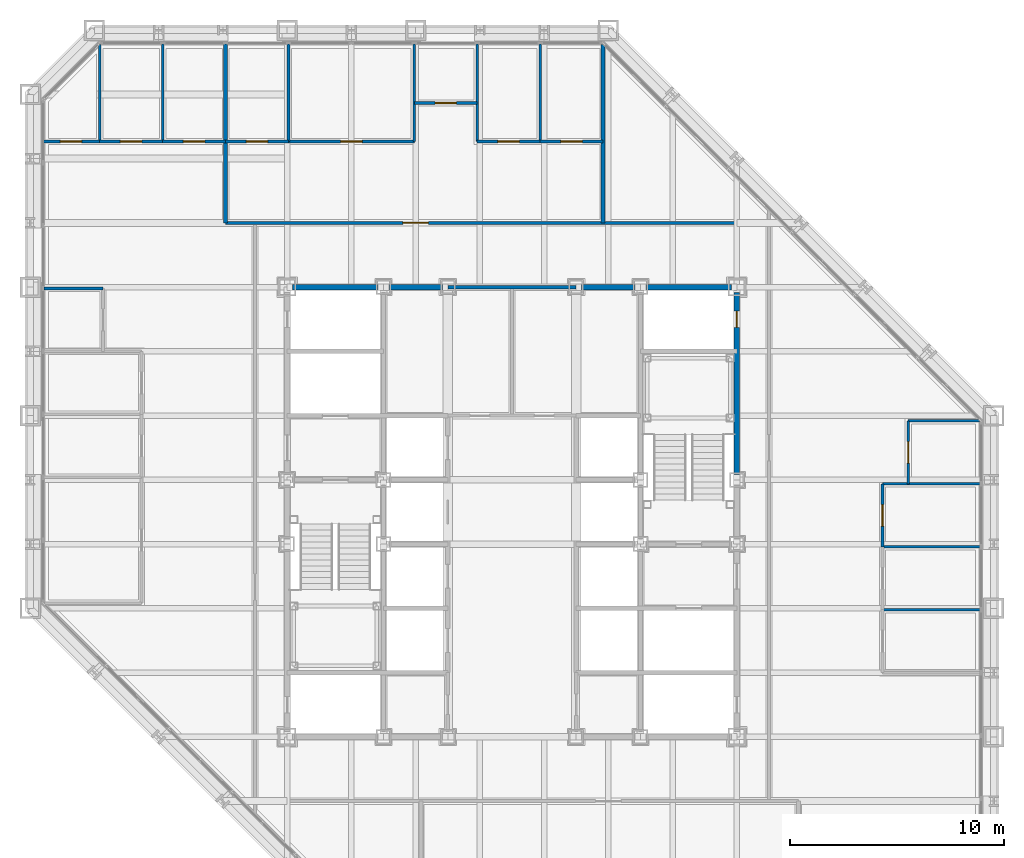
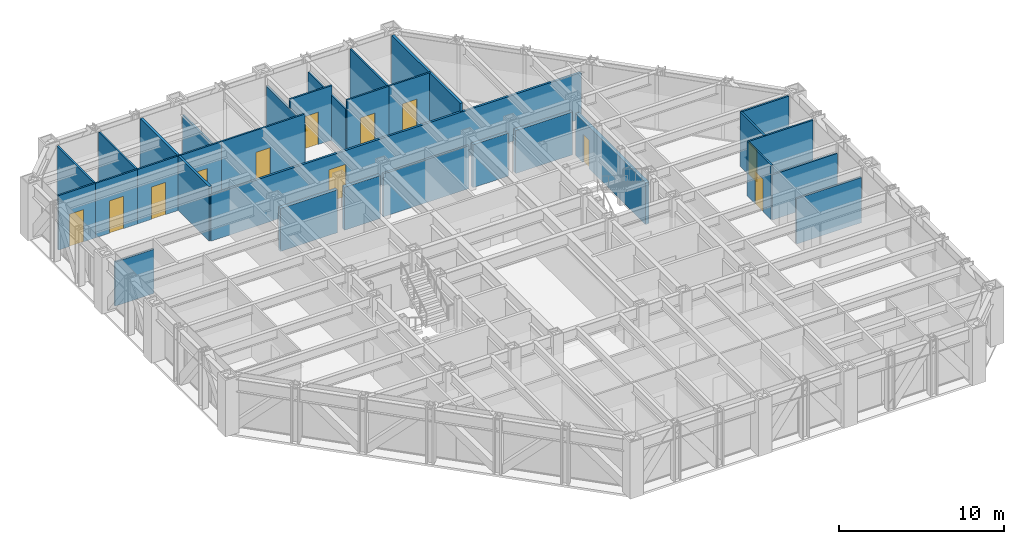
# One storey, part 12 of 16: 30 walls, 12 doors, 12 openings.
"""IFC4 building model written with IfcOpenShell, lengths in metres."""

import ifcopenshell
import ifcopenshell.guid

model = None  # the IFC model being written
_history = None  # IfcOwnerHistory: only IFC2X3 demands one
_inside = {}  # id of a spatial element -> (the spatial element, [elements in it])
_under = {}  # id of a project, library or spatial element -> (it, [spatial elements below it])
_declared = {}  # id of a project -> (the project, [libraries it declares])
_typed = {}  # id of a type object -> (the type object, [elements of that type])
_made_of = {}  # id of a material, layer set ... -> (it, [elements and type objects made of it])


def new_model(schema):
    """Start an empty IFC model of exactly this schema.

    Asked for "IFC4X3", IfcOpenShell would pick the latest addendum, in which some entities
    have other attributes; the version numbers below select the first issue.
    IFC2X3 requires an IfcOwnerHistory on every rooted entity: one is made here for all.
    """
    global model, _history
    if schema == "IFC4X3":
        model = ifcopenshell.file(schema_version=(4, 3, 0, 0))
    else:
        model = ifcopenshell.file(schema=schema)
    _inside.clear()
    _under.clear()
    _declared.clear()
    _typed.clear()
    _made_of.clear()
    _history = None
    if model.schema == "IFC2X3":
        org = make("IfcOrganization", Name="unknown")
        user = make(
            "IfcPersonAndOrganization",
            ThePerson=make("IfcPerson", FamilyName="unknown"),
            TheOrganization=org,
        )
        app = make(
            "IfcApplication",
            ApplicationDeveloper=org,
            Version="unknown",
            ApplicationFullName="unknown",
            ApplicationIdentifier="unknown",
        )
        _history = make(
            "IfcOwnerHistory",
            OwningUser=user,
            OwningApplication=app,
            ChangeAction="ADDED",
            CreationDate=0,
        )
    return model


def make(cls, **values):
    """One entity of the class cls with the attributes given. An attribute that is None is left unset."""
    return model.create_entity(
        cls, **{name: value for name, value in values.items() if value is not None}
    )


def rooted(cls, **values):
    """An entity with a GlobalId (a new one), such as an element, a storey or a relation."""
    return make(cls, GlobalId=ifcopenshell.guid.new(), OwnerHistory=_history, **values)


def si_unit(unit_type, name, prefix=None):
    """IfcSIUnit, for example si_unit("LENGTHUNIT", "METRE", prefix="MILLI")."""
    return make("IfcSIUnit", UnitType=unit_type, Prefix=prefix, Name=name)


def assignment(units):
    """IfcUnitAssignment: the units of a project."""
    return None if units is None else make("IfcUnitAssignment", Units=units)


def point(xyz):
    """IfcCartesianPoint."""
    return None if xyz is None else make("IfcCartesianPoint", Coordinates=xyz)


def direction(xyz):
    """IfcDirection."""
    return None if xyz is None else make("IfcDirection", DirectionRatios=xyz)


def frame(location, z_axis=None, x_axis=None):
    """IfcAxis2Placement3D, a coordinate frame: its origin and axes. An axis left out is left unset."""
    return make(
        "IfcAxis2Placement3D",
        Location=point(location),
        Axis=direction(z_axis),
        RefDirection=direction(x_axis),
    )


def frame_2d(location, x_axis=None):
    """IfcAxis2Placement2D, a coordinate frame in the plane: its origin and x axis."""
    return make(
        "IfcAxis2Placement2D", Location=point(location), RefDirection=direction(x_axis)
    )


def origin():
    """The frame at (0, 0, 0) with its axes left unset."""
    return frame((0.0, 0.0, 0.0))


def place(relative_to, where):
    """IfcLocalPlacement: puts the frame where relative to a parent placement (None: the world)."""
    return make(
        "IfcLocalPlacement", PlacementRelTo=relative_to, RelativePlacement=where
    )


def context(
    kind, dimensions, precision=None, world=None, true_north=None, identifier=None
):
    """IfcGeometricRepresentationContext, for example the 3D "Model" context."""
    return make(
        "IfcGeometricRepresentationContext",
        ContextIdentifier=identifier,
        ContextType=kind,
        CoordinateSpaceDimension=dimensions,
        Precision=precision,
        WorldCoordinateSystem=world,
        TrueNorth=true_north,
    )


def subcontext(parent, identifier, kind, view, scale=None):
    """IfcGeometricRepresentationSubContext, for example "Body" below "Model"."""
    return make(
        "IfcGeometricRepresentationSubContext",
        ContextIdentifier=identifier,
        ContextType=kind,
        ParentContext=parent,
        TargetScale=scale,
        TargetView=view,
    )


def project(units=None, contexts=None):
    """IfcProject with its units and contexts."""
    return rooted(
        "IfcProject",
        Name="project",
        RepresentationContexts=contexts,
        UnitsInContext=assignment(units),
    )


def spatial(cls, under=None, at=None, **own):
    """A site, building, storey or space (cls), placed at a placement, below another one or the project."""
    s = rooted(cls, ObjectPlacement=at, **own)
    if under is not None:
        _under.setdefault(under.id(), (under, []))[1].append(s)
    return s


def profile(cls, at=None, kind="AREA", **sizes):
    """A parametric profile (cls). Its sizes go by their IFC names, for example OverallWidth=200.0."""
    return make(cls, ProfileType=kind, Position=at, **sizes)


def rectangle(**sizes):
    """IfcRectangleProfileDef."""
    return profile("IfcRectangleProfileDef", **sizes)


def extrude(swept, where, along, depth):
    """IfcExtrudedAreaSolid: the profile swept, set in the frame where, extruded along a direction by depth."""
    return make(
        "IfcExtrudedAreaSolid",
        SweptArea=swept,
        Position=where,
        ExtrudedDirection=direction(along),
        Depth=depth,
    )


def shape(context_of_items, identifier, shape_type, items):
    """IfcShapeRepresentation: the items that make up one representation, for example the "Body"."""
    return make(
        "IfcShapeRepresentation",
        ContextOfItems=context_of_items,
        RepresentationIdentifier=identifier,
        RepresentationType=shape_type,
        Items=items,
    )


def material(Name=None, Category=None):
    """IfcMaterial."""
    return make("IfcMaterial", Name=Name, Category=Category)


def layer(
    of_material, thickness, ventilated=None, Name=None, Category=None, Priority=None
):
    """IfcMaterialLayer: one layer of a wall or slab, of a material (None: an air gap)."""
    return make(
        "IfcMaterialLayer",
        Material=of_material,
        LayerThickness=thickness,
        IsVentilated=ventilated,
        Name=Name,
        Category=Category,
        Priority=Priority,
    )


def layer_set(layers, Name=None):
    """IfcMaterialLayerSet."""
    return make("IfcMaterialLayerSet", MaterialLayers=layers, LayerSetName=Name)


def made_of(thing, what):
    """Note that an element or type object is made of a material, layer set ...; save() writes the relation."""
    if what is not None:
        _made_of.setdefault(what.id(), (what, []))[1].append(thing)
    return thing


def type_object(cls, material=None, **own):
    """A type object (cls), such as IfcWallType, which elements share."""
    return made_of(rooted(cls, **own), material)


def element(
    cls,
    number,
    at=None,
    inside=None,
    cuts=None,
    type_object=None,
    material=None,
    context=None,
    identifier="Body",
    shape_type=None,
    held_by="IfcProductDefinitionShape",
    body=None,
    shapes=None,
    **own,
):
    """One element of the class cls, such as IfcWall. Its Tag is "e" and its number.

    at: its placement. inside: the storey or other place that contains it. cuts: it is an
    opening in that element (IfcRelVoidsElement). A single representation is given by context,
    identifier, shape_type and body (its items); several are given by shapes. held_by: the class
    of the entity that holds the representations. save() writes the other relations.
    """
    e = rooted(cls, Tag="e%d" % number, ObjectPlacement=at, **own)
    if body is not None:
        shapes = [shape(context, identifier, shape_type, body)]
    if shapes is not None:
        e.Representation = make(held_by, Representations=shapes)
    if inside is not None:
        _inside.setdefault(inside.id(), (inside, []))[1].append(e)
    if cuts is not None:
        rooted(
            "IfcRelVoidsElement", RelatingBuildingElement=cuts, RelatedOpeningElement=e
        )
    if type_object is not None:
        _typed.setdefault(type_object.id(), (type_object, []))[1].append(e)
    return made_of(e, material)


def fill(opening, filler):
    """IfcRelFillsElement: the door or window that sits in an opening."""
    return rooted(
        "IfcRelFillsElement",
        RelatingOpeningElement=opening,
        RelatedBuildingElement=filler,
    )


def aggregate(whole, parts):
    """IfcRelAggregates: a whole, such as a stair, and the parts it consists of."""
    return rooted("IfcRelAggregates", RelatingObject=whole, RelatedObjects=parts)


def save(model, path):
    """Write the relations noted so far, then the file.

    IfcRelAggregates (storeys below a building ...), IfcRelContainedInSpatialStructure (elements
    in a storey), IfcRelDefinesByType, IfcRelAssociatesMaterial and IfcRelDeclares: one each for
    every whole, place, type object, material and project.
    """
    for whole, parts in _under.values():
        aggregate(whole, parts)
    for where, things in _inside.values():
        rooted(
            "IfcRelContainedInSpatialStructure",
            RelatedElements=things,
            RelatingStructure=where,
        )
    for kind, things in _typed.values():
        rooted("IfcRelDefinesByType", RelatedObjects=things, RelatingType=kind)
    for what, things in _made_of.values():
        rooted("IfcRelAssociatesMaterial", RelatedObjects=things, RelatingMaterial=what)
    for by, libraries in _declared.values():
        rooted("IfcRelDeclares", RelatingContext=by, RelatedDefinitions=libraries)
    model.write(path)


model = new_model("IFC4")

# Units and contexts
model_context = context("Model", 3, precision=1e-05, world=origin(), true_north=direction((0.0, 1.0)))
body_context = subcontext(model_context, "Body", "Model", "MODEL_VIEW")
ifc_project = project(units=[si_unit("LENGTHUNIT", "METRE"), si_unit("AREAUNIT", "SQUARE_METRE"), si_unit("VOLUMEUNIT", "CUBIC_METRE"), si_unit("PLANEANGLEUNIT", "RADIAN"), si_unit("MASSUNIT", "GRAM", prefix="KILO")], contexts=[model_context])

# Site, building, storey
site_placement = place(None, origin())
site = spatial("IfcSite", under=ifc_project, at=site_placement, CompositionType="ELEMENT")
building_placement = place(site_placement, origin())
building = spatial("IfcBuilding", under=site, at=building_placement, Name="Chuquiago Exchange Tower", CompositionType="ELEMENT")
storey_placement = place(building_placement, frame((0.0, 0.0, 115.199951171875)))
storey = spatial("IfcBuildingStorey", under=building, at=storey_placement, Name="L24", CompositionType="ELEMENT", Elevation=115.199951171875)

# Walls
ifc_material_1 = material(Name="Concrete masonry, fully grouted", Category="masonry")
ifc_layer_1 = layer(ifc_material_1, 0.25)
ifc_layer_set_1 = layer_set([ifc_layer_1], Name="W1 core wall 250")
wall_type_1 = type_object("IfcWallType", Name="W1 core wall 250", PredefinedType="SOLIDWALL", material=ifc_layer_set_1)
wall_1_placement = place(storey_placement, frame((12.25, 33.0, 0.0), z_axis=(0.0, 0.0, 1.0), x_axis=(1.0, 0.0, 0.0)))
element("IfcWall", 1, at=wall_1_placement, inside=storey, type_object=wall_type_1, Name="CW-L24-11-0", PredefinedType="SOLIDWALL", context=body_context, shape_type="SweptSolid", body=[
    extrude(rectangle(XDim=4.0, YDim=0.25, at=frame_2d((2.0, 0.0))), origin(), (0.0, 0.0, 1.0), 3.181640625),
])
for number, where, z_axis, x_axis, name in (
    (2, (16.75, 33.0, 0.0), (0.0, 0.0, 1.0), (1.0, 0.0, 0.0), "CW-L24-11-1"),
    (3, (25.75, 33.0, 0.0), (0.0, 0.0, 1.0), (1.0, 0.0, 0.0), "CW-L24-12-0"),
):
    element("IfcWall", number, at=place(storey_placement, frame(where, z_axis=z_axis, x_axis=x_axis)), inside=storey, type_object=wall_type_1, Name=name, PredefinedType="SOLIDWALL", context=body_context, shape_type="SweptSolid", body=[
        extrude(rectangle(XDim=2.5, YDim=0.25, at=frame_2d((1.25, 0.0))), origin(), (0.0, 0.0, 1.0), 3.181640625),
    ])
wall_2_placement = place(storey_placement, frame((28.75, 33.0, 0.0), z_axis=(0.0, 0.0, 1.0), x_axis=(1.0, 0.0, 0.0)))
element("IfcWall", 4, at=wall_2_placement, inside=storey, type_object=wall_type_1, Name="CW-L24-12-1", PredefinedType="SOLIDWALL", context=body_context, shape_type="SweptSolid", body=[
    extrude(rectangle(XDim=4.0, YDim=0.25, at=frame_2d((2.0, 0.0))), origin(), (0.0, 0.0, 1.0), 3.181640625),
])

# Wall, opening, door
wall_3_placement = place(storey_placement, frame((33.0, 24.25, 0.0), z_axis=(0.0, 0.0, 1.0), x_axis=(0.0, 1.0, 0.0)))
wall_3 = element("IfcWall", 5, at=wall_3_placement, inside=storey, type_object=wall_type_1, Name="CW-L24-25-2", PredefinedType="SOLIDWALL", context=body_context, shape_type="SweptSolid", body=[
    extrude(rectangle(XDim=8.5, YDim=0.25, at=frame_2d((4.25, 0.0))), origin(), (0.0, 0.0, 1.0), 3.113037109375),
])
opening_1_placement = place(wall_3_placement, frame((6.875, 0.0, 0.0)))
opening_1 = element("IfcOpeningElement", 6, at=opening_1_placement, cuts=wall_3, Name="Opening L24-010", PredefinedType="OPENING", context=body_context, shape_type="SweptSolid", body=[
    extrude(rectangle(XDim=0.75, YDim=2.10009765625, at=frame_2d((0.375, 1.050048828125))), frame((0.0, 0.135009765625, 0.0), z_axis=(0.0, -1.0, 0.0), x_axis=(1.0, 0.0, 0.0)), (0.0, 0.0, 1.0), 0.27001953125),
])
ifc_material_2 = material(Name="Steel door, painted", Category="steel")
door_type_1 = type_object("IfcDoorType", Name="D6 riser access door 750x2100", OperationType="SINGLE_SWING_LEFT", PredefinedType="DOOR", material=ifc_material_2)
door_1_placement = place(opening_1_placement, origin())
door_1 = element("IfcDoor", 7, at=door_1_placement, inside=storey, type_object=door_type_1, Name="Riser RE2 door", OperationType="SINGLE_SWING_RIGHT", OverallHeight=2.10009765625, OverallWidth=0.75, PredefinedType="DOOR", context=body_context, shape_type="SweptSolid", body=[
    extrude(rectangle(XDim=0.75, YDim=2.10009765625, at=frame_2d((0.375, 1.050048828125))), frame((0.0, 0.02490234375, 0.0), z_axis=(0.0, -1.0, 0.0), x_axis=(1.0, 0.0, 0.0)), (0.0, 0.0, 1.0), 0.050048828125),
])
fill(opening_1, door_1)

ifc_material_3 = material(Name="Gypsum board on steel studs, acoustic insulation", Category="steel")
ifc_layer_2 = layer(ifc_material_3, 0.14990234375)
ifc_layer_set_2 = layer_set([ifc_layer_2], Name="W11 corridor wall 150")
wall_type_2 = type_object("IfcWallType", Name="W11 corridor wall 150", PredefinedType="PARTITIONING", material=ifc_layer_set_2)
wall_4_placement = place(storey_placement, frame((9.124267578125, 36.0, 0.0), z_axis=(0.0, 0.0, 1.0), x_axis=(1.0, 0.0, 0.0)))
wall_4 = element("IfcWall", 8, at=wall_4_placement, inside=storey, type_object=wall_type_2, Name="PW-L24-CN", PredefinedType="PARTITIONING", context=body_context, shape_type="SweptSolid", body=[
    extrude(rectangle(XDim=25.990234375, YDim=0.14990234375, at=frame_2d((12.9951171875, 0.0))), origin(), (0.0, 0.0, 1.0), 3.427734375),
])
opening_2_placement = place(wall_4_placement, frame((8.275634765625, 0.0, 0.0)))
opening_2 = element("IfcOpeningElement", 9, at=opening_2_placement, cuts=wall_4, Name="Opening L24-043", PredefinedType="OPENING", context=body_context, shape_type="SweptSolid", body=[
    extrude(rectangle(XDim=1.199951171875, YDim=2.39990234375, at=frame_2d((0.60009765625, 1.199951171875))), frame((0.0, 0.0849609375, 0.0), z_axis=(0.0, -1.0, 0.0), x_axis=(1.0, 0.0, 0.0)), (0.0, 0.0, 1.0), 0.169921875),
])
ifc_material_4 = material(Name="Timber door, laminate faced", Category="wood")
door_type_2 = type_object("IfcDoorType", Name="D13 suite entrance door 1200x2400", OperationType="SINGLE_SWING_LEFT", PredefinedType="DOOR", material=ifc_material_4)
door_2_placement = place(opening_2_placement, origin())
door_2 = element("IfcDoor", 10, at=door_2_placement, inside=storey, type_object=door_type_2, Name="North suite entrance door", OperationType="SINGLE_SWING_LEFT", OverallHeight=2.39990234375, OverallWidth=1.199951171875, PredefinedType="DOOR", context=body_context, shape_type="SweptSolid", body=[
    extrude(rectangle(XDim=1.199951171875, YDim=2.39990234375, at=frame_2d((0.60009765625, 1.199951171875))), frame((0.0, 0.02490234375, 0.0), z_axis=(0.0, -1.0, 0.0), x_axis=(1.0, 0.0, 0.0)), (0.0, 0.0, 1.0), 0.050048828125),
])
fill(opening_2, door_2)

# Walls
ifc_material_5 = material(Name="Gypsum board on twin steel studs, acoustic insulation", Category="steel")
ifc_layer_3 = layer(ifc_material_5, 0.175048828125)
ifc_layer_set_3 = layer_set([ifc_layer_3], Name="W12 tenant demising wall 175")
wall_type_3 = type_object("IfcWallType", Name="W12 tenant demising wall 175", PredefinedType="PARTITIONING", material=ifc_layer_set_3)
wall_5_placement = place(storey_placement, frame((9.124267578125, 44.347412109375, 0.0), z_axis=(0.0, 0.0, 1.0), x_axis=(0.0, -1.0, 0.0)))
element("IfcWall", 11, at=wall_5_placement, inside=storey, type_object=wall_type_3, Name="PW-L24-DN00912", PredefinedType="PARTITIONING", context=body_context, shape_type="SweptSolid", body=[
    extrude(rectangle(XDim=8.347412109375, YDim=0.175048828125, at=frame_2d((4.173828125, 0.0))), origin(), (0.0, 0.0, 1.0), 4.0400390625),
])
wall_6_placement = place(storey_placement, frame((26.75146484375, 44.333984375, 0.0), z_axis=(0.0, 0.0, 1.0), x_axis=(0.0, -1.0, 0.0)))
element("IfcWall", 12, at=wall_6_placement, inside=storey, type_object=wall_type_3, Name="PW-L24-DN02675", PredefinedType="PARTITIONING", context=body_context, shape_type="SweptSolid", body=[
    extrude(rectangle(XDim=8.333984375, YDim=0.175048828125, at=frame_2d((4.1669921875, 0.0))), origin(), (0.0, 0.0, 1.0), 4.0400390625),
])
ifc_material_6 = material(Name="Gypsum board on steel studs", Category="steel")
ifc_layer_4 = layer(ifc_material_6, 0.14990234375)
ifc_layer_set_4 = layer_set([ifc_layer_4], Name="W3 core partition 150")
wall_type_4 = type_object("IfcWallType", Name="W3 core partition 150", PredefinedType="PARTITIONING", material=ifc_layer_set_4)
wall_7_placement = place(storey_placement, frame((19.5, 33.0, 0.0), z_axis=(0.0, 0.0, 1.0), x_axis=(1.0, 0.0, 0.0)))
element("IfcWall", 13, at=wall_7_placement, inside=storey, type_object=wall_type_4, Name="CW-L24-TB", PredefinedType="PARTITIONING", context=body_context, shape_type="SweptSolid", body=[
    extrude(rectangle(XDim=6.0, YDim=0.14990234375, at=frame_2d((3.0, 0.0))), origin(), (0.0, 0.0, 1.0), 3.181640625),
])
ifc_material_7 = material(Name="Gypsum board on steel studs", Category="steel")
ifc_layer_5 = layer(ifc_material_7, 0.1201171875)
ifc_layer_set_5 = layer_set([ifc_layer_5], Name="W4 partition 120")
wall_type_5 = type_object("IfcWallType", Name="W4 partition 120", PredefinedType="PARTITIONING", material=ifc_layer_set_5)
for number, where, z_axis, x_axis, name in (
    (14, (44.347412109375, 17.93798828125, 0.0), (0.0, 0.0, 1.0), (-1.0, 0.0, 0.0), "PW-L24-E01794"),
    (15, (44.347412109375, 20.875732421875, 0.0), (0.0, 0.0, 1.0), (-1.0, 0.0, 0.0), "PW-L24-E02088"),
):
    element("IfcWall", number, at=place(storey_placement, frame(where, z_axis=z_axis, x_axis=x_axis)), inside=storey, type_object=wall_type_5, Name=name, PredefinedType="PARTITIONING", context=body_context, shape_type="SweptSolid", body=[
        extrude(rectangle(XDim=4.54736328125, YDim=0.1201171875, at=frame_2d((2.273681640625, 0.0))), origin(), (0.0, 0.0, 1.0), 3.35693359375),
    ])
wall_8_placement = place(storey_placement, frame((44.347412109375, 23.813720703125, 0.0), z_axis=(0.0, 0.0, 1.0), x_axis=(-1.0, 0.0, 0.0)))
element("IfcWall", 16, at=wall_8_placement, inside=storey, type_object=wall_type_5, Name="PW-L24-E02381", PredefinedType="PARTITIONING", context=body_context, shape_type="SweptSolid", body=[
    extrude(rectangle(XDim=4.54736328125, YDim=0.1201171875, at=frame_2d((2.273681640625, 0.0))), origin(), (0.0, 0.0, 1.0), 4.0400390625),
])
wall_9_placement = place(storey_placement, frame((44.333984375, 26.75146484375, 0.0), z_axis=(0.0, 0.0, 1.0), x_axis=(-1.0, 0.0, 0.0)))
element("IfcWall", 17, at=wall_9_placement, inside=storey, type_object=wall_type_5, Name="PW-L24-E02675", PredefinedType="PARTITIONING", context=body_context, shape_type="SweptSolid", body=[
    extrude(rectangle(XDim=3.333984375, YDim=0.1201171875, at=frame_2d((1.6669921875, 0.0))), origin(), (0.0, 0.0, 1.0), 4.0400390625),
])

# Wall, opening, door
wall_10_placement = place(storey_placement, frame((39.800048828125, 20.875732421875, 0.0), z_axis=(0.0, 0.0, 1.0), x_axis=(0.0, 1.0, 0.0)))
wall_10 = element("IfcWall", 18, at=wall_10_placement, inside=storey, type_object=wall_type_5, Name="PW-L24-EF02088", PredefinedType="PARTITIONING", context=body_context, shape_type="SweptSolid", body=[
    extrude(rectangle(XDim=2.93798828125, YDim=0.1201171875, at=frame_2d((1.468994140625, 0.0))), origin(), (0.0, 0.0, 1.0), 4.0400390625),
])
opening_3_placement = place(wall_10_placement, frame((0.968994140625, 0.0, 0.0)))
opening_3 = element("IfcOpeningElement", 19, at=opening_3_placement, cuts=wall_10, Name="Opening L24-028", PredefinedType="OPENING", context=body_context, shape_type="SweptSolid", body=[
    extrude(rectangle(XDim=1.0, YDim=2.39990234375, at=frame_2d((0.5, 1.199951171875))), frame((0.0, 0.070068359375, 0.0), z_axis=(0.0, -1.0, 0.0), x_axis=(1.0, 0.0, 0.0)), (0.0, 0.0, 1.0), 0.14013671875),
])
ifc_material_8 = material(Name="Timber frame door, full height glazed panel", Category="wood")
door_type_3 = type_object("IfcDoorType", Name="D14 glazed meeting room door 1000x2400", OperationType="SINGLE_SWING_LEFT", PredefinedType="DOOR", material=ifc_material_8)
door_3_placement = place(opening_3_placement, frame((1.0, 0.0, 0.0), z_axis=(0.0, 0.0, 1.0), x_axis=(-1.0, 0.0, 0.0)))
door_3 = element("IfcDoor", 20, at=door_3_placement, inside=storey, type_object=door_type_3, Name="Meeting room door", OperationType="SINGLE_SWING_LEFT", OverallHeight=2.39990234375, OverallWidth=1.0, PredefinedType="DOOR", context=body_context, shape_type="SweptSolid", body=[
    extrude(rectangle(XDim=1.0, YDim=2.39990234375, at=frame_2d((0.5, 1.199951171875))), frame((0.0, 0.02490234375, 0.0), z_axis=(0.0, -1.0, 0.0), x_axis=(1.0, 0.0, 0.0)), (0.0, 0.0, 1.0), 0.050048828125),
])
fill(opening_3, door_3)

wall_11_placement = place(storey_placement, frame((41.0, 23.813720703125, 0.0), z_axis=(0.0, 0.0, 1.0), x_axis=(0.0, 1.0, 0.0)))
wall_11 = element("IfcWall", 21, at=wall_11_placement, inside=storey, type_object=wall_type_5, Name="PW-L24-EF02381", PredefinedType="PARTITIONING", context=body_context, shape_type="SweptSolid", body=[
    extrude(rectangle(XDim=2.937744140625, YDim=0.1201171875, at=frame_2d((1.46875, 0.0))), origin(), (0.0, 0.0, 1.0), 4.0400390625),
])
opening_4_placement = place(wall_11_placement, frame((0.968994140625, 0.0, 0.0)))
opening_4 = element("IfcOpeningElement", 22, at=opening_4_placement, cuts=wall_11, Name="Opening L24-029", PredefinedType="OPENING", context=body_context, shape_type="SweptSolid", body=[
    extrude(rectangle(XDim=1.0, YDim=2.39990234375, at=frame_2d((0.5, 1.199951171875))), frame((0.0, 0.070068359375, 0.0), z_axis=(0.0, -1.0, 0.0), x_axis=(1.0, 0.0, 0.0)), (0.0, 0.0, 1.0), 0.14013671875),
])
ifc_material_9 = material(Name="Timber door, laminate faced", Category="wood")
door_type_4 = type_object("IfcDoorType", Name="D9 room door 1000x2400", OperationType="SINGLE_SWING_LEFT", PredefinedType="DOOR", material=ifc_material_9)
door_4_placement = place(opening_4_placement, frame((1.0, 0.0, 0.0), z_axis=(0.0, 0.0, 1.0), x_axis=(-1.0, 0.0, 0.0)))
door_4 = element("IfcDoor", 23, at=door_4_placement, inside=storey, type_object=door_type_4, Name="Pantry door", OperationType="SINGLE_SWING_RIGHT", OverallHeight=2.39990234375, OverallWidth=1.0, PredefinedType="DOOR", context=body_context, shape_type="SweptSolid", body=[
    extrude(rectangle(XDim=1.0, YDim=2.39990234375, at=frame_2d((0.5, 1.199951171875))), frame((0.0, 0.02490234375, 0.0), z_axis=(0.0, -1.0, 0.0), x_axis=(1.0, 0.0, 0.0)), (0.0, 0.0, 1.0), 0.050048828125),
])
fill(opening_4, door_4)

# Walls
wall_12_placement = place(storey_placement, frame((3.24853515625, 44.333984375, 0.0), z_axis=(0.0, 0.0, 1.0), x_axis=(0.0, -1.0, 0.0)))
element("IfcWall", 24, at=wall_12_placement, inside=storey, type_object=wall_type_5, Name="PW-L24-N00325", PredefinedType="PARTITIONING", context=body_context, shape_type="SweptSolid", body=[
    extrude(rectangle(XDim=4.533935546875, YDim=0.1201171875, at=frame_2d((2.26708984375, 0.0))), origin(), (0.0, 0.0, 1.0), 4.0400390625),
])
wall_13_placement = place(storey_placement, frame((6.186279296875, 44.347412109375, 0.0), z_axis=(0.0, 0.0, 1.0), x_axis=(0.0, -1.0, 0.0)))
element("IfcWall", 25, at=wall_13_placement, inside=storey, type_object=wall_type_5, Name="PW-L24-N00619", PredefinedType="PARTITIONING", context=body_context, shape_type="SweptSolid", body=[
    extrude(rectangle(XDim=4.54736328125, YDim=0.1201171875, at=frame_2d((2.273681640625, 0.0))), origin(), (0.0, 0.0, 1.0), 4.0400390625),
])
wall_14_placement = place(storey_placement, frame((12.06201171875, 44.347412109375, 0.0), z_axis=(0.0, 0.0, 1.0), x_axis=(0.0, -1.0, 0.0)))
element("IfcWall", 26, at=wall_14_placement, inside=storey, type_object=wall_type_5, Name="PW-L24-N01206", PredefinedType="PARTITIONING", context=body_context, shape_type="SweptSolid", body=[
    extrude(rectangle(XDim=4.54736328125, YDim=0.1201171875, at=frame_2d((2.273681640625, 0.0))), origin(), (0.0, 0.0, 1.0), 3.2705078125),
])
for number, where, z_axis, x_axis, name in (
    (27, (17.93798828125, 44.347412109375, 0.0), (0.0, 0.0, 1.0), (0.0, -1.0, 0.0), "PW-L24-N01794"),
    (28, (20.875732421875, 44.347412109375, 0.0), (0.0, 0.0, 1.0), (0.0, -1.0, 0.0), "PW-L24-N02088"),
):
    element("IfcWall", number, at=place(storey_placement, frame(where, z_axis=z_axis, x_axis=x_axis)), inside=storey, type_object=wall_type_5, Name=name, PredefinedType="PARTITIONING", context=body_context, shape_type="SweptSolid", body=[
        extrude(rectangle(XDim=4.54736328125, YDim=0.1201171875, at=frame_2d((2.273681640625, 0.0))), origin(), (0.0, 0.0, 1.0), 3.35693359375),
    ])
wall_15_placement = place(storey_placement, frame((23.813720703125, 44.347412109375, 0.0), z_axis=(0.0, 0.0, 1.0), x_axis=(0.0, -1.0, 0.0)))
element("IfcWall", 29, at=wall_15_placement, inside=storey, type_object=wall_type_5, Name="PW-L24-N02381", PredefinedType="PARTITIONING", context=body_context, shape_type="SweptSolid", body=[
    extrude(rectangle(XDim=4.54736328125, YDim=0.1201171875, at=frame_2d((2.273681640625, 0.0))), origin(), (0.0, 0.0, 1.0), 4.0400390625),
])

# Wall, opening, door
wall_16_placement = place(storey_placement, frame((0.632080078125, 39.800048828125, 0.0), z_axis=(0.0, 0.0, 1.0), x_axis=(1.0, 0.0, 0.0)))
wall_16 = element("IfcWall", 30, at=wall_16_placement, inside=storey, type_object=wall_type_5, Name="PW-L24-NF00060", PredefinedType="PARTITIONING", context=body_context, shape_type="SweptSolid", body=[
    extrude(rectangle(XDim=2.616455078125, YDim=0.1201171875, at=frame_2d((1.30810546875, 0.0))), origin(), (0.0, 0.0, 1.0), 4.0400390625),
])
opening_5_placement = place(wall_16_placement, frame((0.7744140625, 0.0, 0.0)))
opening_5 = element("IfcOpeningElement", 31, at=opening_5_placement, cuts=wall_16, Name="Opening L24-030", PredefinedType="OPENING", context=body_context, shape_type="SweptSolid", body=[
    extrude(rectangle(XDim=1.0, YDim=2.39990234375, at=frame_2d((0.5, 1.199951171875))), frame((0.0, 0.070068359375, 0.0), z_axis=(0.0, -1.0, 0.0), x_axis=(1.0, 0.0, 0.0)), (0.0, 0.0, 1.0), 0.14013671875),
])
door_5_placement = place(opening_5_placement, origin())
door_5 = element("IfcDoor", 32, at=door_5_placement, inside=storey, type_object=door_type_3, Name="Meeting room door", OperationType="SINGLE_SWING_LEFT", OverallHeight=2.39990234375, OverallWidth=1.0, PredefinedType="DOOR", context=body_context, shape_type="SweptSolid", body=[
    extrude(rectangle(XDim=1.0, YDim=2.39990234375, at=frame_2d((0.5, 1.199951171875))), frame((0.0, 0.02490234375, 0.0), z_axis=(0.0, -1.0, 0.0), x_axis=(1.0, 0.0, 0.0)), (0.0, 0.0, 1.0), 0.050048828125),
])
fill(opening_5, door_5)

wall_17_placement = place(storey_placement, frame((3.24853515625, 39.800048828125, 0.0), z_axis=(0.0, 0.0, 1.0), x_axis=(1.0, 0.0, 0.0)))
wall_17 = element("IfcWall", 33, at=wall_17_placement, inside=storey, type_object=wall_type_5, Name="PW-L24-NF00325", PredefinedType="PARTITIONING", context=body_context, shape_type="SweptSolid", body=[
    extrude(rectangle(XDim=2.937744140625, YDim=0.1201171875, at=frame_2d((1.46875, 0.0))), origin(), (0.0, 0.0, 1.0), 4.0400390625),
])
opening_6_placement = place(wall_17_placement, frame((0.968994140625, 0.0, 0.0)))
opening_6 = element("IfcOpeningElement", 34, at=opening_6_placement, cuts=wall_17, Name="Opening L24-031", PredefinedType="OPENING", context=body_context, shape_type="SweptSolid", body=[
    extrude(rectangle(XDim=1.0, YDim=2.39990234375, at=frame_2d((0.5, 1.199951171875))), frame((0.0, 0.070068359375, 0.0), z_axis=(0.0, -1.0, 0.0), x_axis=(1.0, 0.0, 0.0)), (0.0, 0.0, 1.0), 0.14013671875),
])
door_6_placement = place(opening_6_placement, origin())
door_6 = element("IfcDoor", 35, at=door_6_placement, inside=storey, type_object=door_type_4, Name="Office door", OperationType="SINGLE_SWING_LEFT", OverallHeight=2.39990234375, OverallWidth=1.0, PredefinedType="DOOR", context=body_context, shape_type="SweptSolid", body=[
    extrude(rectangle(XDim=1.0, YDim=2.39990234375, at=frame_2d((0.5, 1.199951171875))), frame((0.0, 0.02490234375, 0.0), z_axis=(0.0, -1.0, 0.0), x_axis=(1.0, 0.0, 0.0)), (0.0, 0.0, 1.0), 0.050048828125),
])
fill(opening_6, door_6)

wall_18_placement = place(storey_placement, frame((6.186279296875, 39.800048828125, 0.0), z_axis=(0.0, 0.0, 1.0), x_axis=(1.0, 0.0, 0.0)))
wall_18 = element("IfcWall", 36, at=wall_18_placement, inside=storey, type_object=wall_type_5, Name="PW-L24-NF00619", PredefinedType="PARTITIONING", context=body_context, shape_type="SweptSolid", body=[
    extrude(rectangle(XDim=2.93798828125, YDim=0.1201171875, at=frame_2d((1.468994140625, 0.0))), origin(), (0.0, 0.0, 1.0), 4.0400390625),
])
opening_7_placement = place(wall_18_placement, frame((0.968994140625, 0.0, 0.0)))
opening_7 = element("IfcOpeningElement", 37, at=opening_7_placement, cuts=wall_18, Name="Opening L24-032", PredefinedType="OPENING", context=body_context, shape_type="SweptSolid", body=[
    extrude(rectangle(XDim=1.0, YDim=2.39990234375, at=frame_2d((0.5, 1.199951171875))), frame((0.0, 0.070068359375, 0.0), z_axis=(0.0, -1.0, 0.0), x_axis=(1.0, 0.0, 0.0)), (0.0, 0.0, 1.0), 0.14013671875),
])
door_7_placement = place(opening_7_placement, origin())
door_7 = element("IfcDoor", 38, at=door_7_placement, inside=storey, type_object=door_type_4, Name="Office door", OperationType="SINGLE_SWING_RIGHT", OverallHeight=2.39990234375, OverallWidth=1.0, PredefinedType="DOOR", context=body_context, shape_type="SweptSolid", body=[
    extrude(rectangle(XDim=1.0, YDim=2.39990234375, at=frame_2d((0.5, 1.199951171875))), frame((0.0, 0.02490234375, 0.0), z_axis=(0.0, -1.0, 0.0), x_axis=(1.0, 0.0, 0.0)), (0.0, 0.0, 1.0), 0.050048828125),
])
fill(opening_7, door_7)

wall_19_placement = place(storey_placement, frame((9.124267578125, 39.800048828125, 0.0), z_axis=(0.0, 0.0, 1.0), x_axis=(1.0, 0.0, 0.0)))
wall_19 = element("IfcWall", 39, at=wall_19_placement, inside=storey, type_object=wall_type_5, Name="PW-L24-NF00912", PredefinedType="PARTITIONING", context=body_context, shape_type="SweptSolid", body=[
    extrude(rectangle(XDim=2.937744140625, YDim=0.1201171875, at=frame_2d((1.46875, 0.0))), origin(), (0.0, 0.0, 1.0), 4.0400390625),
])
opening_8_placement = place(wall_19_placement, frame((0.968994140625, 0.0, 0.0)))
opening_8 = element("IfcOpeningElement", 40, at=opening_8_placement, cuts=wall_19, Name="Opening L24-033", PredefinedType="OPENING", context=body_context, shape_type="SweptSolid", body=[
    extrude(rectangle(XDim=1.0, YDim=2.39990234375, at=frame_2d((0.5, 1.199951171875))), frame((0.0, 0.070068359375, 0.0), z_axis=(0.0, -1.0, 0.0), x_axis=(1.0, 0.0, 0.0)), (0.0, 0.0, 1.0), 0.14013671875),
])
door_8_placement = place(opening_8_placement, origin())
door_8 = element("IfcDoor", 41, at=door_8_placement, inside=storey, type_object=door_type_4, Name="Office door", OperationType="SINGLE_SWING_LEFT", OverallHeight=2.39990234375, OverallWidth=1.0, PredefinedType="DOOR", context=body_context, shape_type="SweptSolid", body=[
    extrude(rectangle(XDim=1.0, YDim=2.39990234375, at=frame_2d((0.5, 1.199951171875))), frame((0.0, 0.02490234375, 0.0), z_axis=(0.0, -1.0, 0.0), x_axis=(1.0, 0.0, 0.0)), (0.0, 0.0, 1.0), 0.050048828125),
])
fill(opening_8, door_8)

wall_20_placement = place(storey_placement, frame((12.06201171875, 39.800048828125, 0.0), z_axis=(0.0, 0.0, 1.0), x_axis=(1.0, 0.0, 0.0)))
wall_20 = element("IfcWall", 42, at=wall_20_placement, inside=storey, type_object=wall_type_5, Name="PW-L24-NF01206", PredefinedType="PARTITIONING", context=body_context, shape_type="SweptSolid", body=[
    extrude(rectangle(XDim=5.8759765625, YDim=0.1201171875, at=frame_2d((2.93798828125, 0.0))), origin(), (0.0, 0.0, 1.0), 4.0400390625),
])
opening_9_placement = place(wall_20_placement, frame((2.43798828125, 0.0, 0.0)))
opening_9 = element("IfcOpeningElement", 43, at=opening_9_placement, cuts=wall_20, Name="Opening L24-034", PredefinedType="OPENING", context=body_context, shape_type="SweptSolid", body=[
    extrude(rectangle(XDim=1.0, YDim=2.39990234375, at=frame_2d((0.5, 1.199951171875))), frame((0.0, 0.070068359375, 0.0), z_axis=(0.0, -1.0, 0.0), x_axis=(1.0, 0.0, 0.0)), (0.0, 0.0, 1.0), 0.14013671875),
])
door_9_placement = place(opening_9_placement, origin())
door_9 = element("IfcDoor", 44, at=door_9_placement, inside=storey, type_object=door_type_3, Name="Meeting room door", OperationType="SINGLE_SWING_LEFT", OverallHeight=2.39990234375, OverallWidth=1.0, PredefinedType="DOOR", context=body_context, shape_type="SweptSolid", body=[
    extrude(rectangle(XDim=1.0, YDim=2.39990234375, at=frame_2d((0.5, 1.199951171875))), frame((0.0, 0.02490234375, 0.0), z_axis=(0.0, -1.0, 0.0), x_axis=(1.0, 0.0, 0.0)), (0.0, 0.0, 1.0), 0.050048828125),
])
fill(opening_9, door_9)

wall_21_placement = place(storey_placement, frame((17.93798828125, 41.60009765625, 0.0), z_axis=(0.0, 0.0, 1.0), x_axis=(1.0, 0.0, 0.0)))
wall_21 = element("IfcWall", 45, at=wall_21_placement, inside=storey, type_object=wall_type_5, Name="PW-L24-NF01794", PredefinedType="PARTITIONING", context=body_context, shape_type="SweptSolid", body=[
    extrude(rectangle(XDim=2.937744140625, YDim=0.1201171875, at=frame_2d((1.46875, 0.0))), origin(), (0.0, 0.0, 1.0), 4.0400390625),
])
opening_10_placement = place(wall_21_placement, frame((0.968994140625, 0.0, 0.0)))
opening_10 = element("IfcOpeningElement", 46, at=opening_10_placement, cuts=wall_21, Name="Opening L24-035", PredefinedType="OPENING", context=body_context, shape_type="SweptSolid", body=[
    extrude(rectangle(XDim=1.0, YDim=2.39990234375, at=frame_2d((0.5, 1.199951171875))), frame((0.0, 0.070068359375, 0.0), z_axis=(0.0, -1.0, 0.0), x_axis=(1.0, 0.0, 0.0)), (0.0, 0.0, 1.0), 0.14013671875),
])
door_10_placement = place(opening_10_placement, origin())
door_10 = element("IfcDoor", 47, at=door_10_placement, inside=storey, type_object=door_type_3, Name="Focus room door", OperationType="SINGLE_SWING_RIGHT", OverallHeight=2.39990234375, OverallWidth=1.0, PredefinedType="DOOR", context=body_context, shape_type="SweptSolid", body=[
    extrude(rectangle(XDim=1.0, YDim=2.39990234375, at=frame_2d((0.5, 1.199951171875))), frame((0.0, 0.02490234375, 0.0), z_axis=(0.0, -1.0, 0.0), x_axis=(1.0, 0.0, 0.0)), (0.0, 0.0, 1.0), 0.050048828125),
])
fill(opening_10, door_10)

wall_22_placement = place(storey_placement, frame((20.875732421875, 39.800048828125, 0.0), z_axis=(0.0, 0.0, 1.0), x_axis=(1.0, 0.0, 0.0)))
wall_22 = element("IfcWall", 48, at=wall_22_placement, inside=storey, type_object=wall_type_5, Name="PW-L24-NF02088", PredefinedType="PARTITIONING", context=body_context, shape_type="SweptSolid", body=[
    extrude(rectangle(XDim=2.93798828125, YDim=0.1201171875, at=frame_2d((1.468994140625, 0.0))), origin(), (0.0, 0.0, 1.0), 4.0400390625),
])
opening_11_placement = place(wall_22_placement, frame((0.968994140625, 0.0, 0.0)))
opening_11 = element("IfcOpeningElement", 49, at=opening_11_placement, cuts=wall_22, Name="Opening L24-036", PredefinedType="OPENING", context=body_context, shape_type="SweptSolid", body=[
    extrude(rectangle(XDim=1.0, YDim=2.39990234375, at=frame_2d((0.5, 1.199951171875))), frame((0.0, 0.070068359375, 0.0), z_axis=(0.0, -1.0, 0.0), x_axis=(1.0, 0.0, 0.0)), (0.0, 0.0, 1.0), 0.14013671875),
])
door_11_placement = place(opening_11_placement, origin())
door_11 = element("IfcDoor", 50, at=door_11_placement, inside=storey, type_object=door_type_4, Name="Office door", OperationType="SINGLE_SWING_RIGHT", OverallHeight=2.39990234375, OverallWidth=1.0, PredefinedType="DOOR", context=body_context, shape_type="SweptSolid", body=[
    extrude(rectangle(XDim=1.0, YDim=2.39990234375, at=frame_2d((0.5, 1.199951171875))), frame((0.0, 0.02490234375, 0.0), z_axis=(0.0, -1.0, 0.0), x_axis=(1.0, 0.0, 0.0)), (0.0, 0.0, 1.0), 0.050048828125),
])
fill(opening_11, door_11)

wall_23_placement = place(storey_placement, frame((23.813720703125, 39.800048828125, 0.0), z_axis=(0.0, 0.0, 1.0), x_axis=(1.0, 0.0, 0.0)))
wall_23 = element("IfcWall", 51, at=wall_23_placement, inside=storey, type_object=wall_type_5, Name="PW-L24-NF02381", PredefinedType="PARTITIONING", context=body_context, shape_type="SweptSolid", body=[
    extrude(rectangle(XDim=2.937744140625, YDim=0.1201171875, at=frame_2d((1.46875, 0.0))), origin(), (0.0, 0.0, 1.0), 4.0400390625),
])
opening_12_placement = place(wall_23_placement, frame((0.968994140625, 0.0, 0.0)))
opening_12 = element("IfcOpeningElement", 52, at=opening_12_placement, cuts=wall_23, Name="Opening L24-037", PredefinedType="OPENING", context=body_context, shape_type="SweptSolid", body=[
    extrude(rectangle(XDim=1.0, YDim=2.39990234375, at=frame_2d((0.5, 1.199951171875))), frame((0.0, 0.070068359375, 0.0), z_axis=(0.0, -1.0, 0.0), x_axis=(1.0, 0.0, 0.0)), (0.0, 0.0, 1.0), 0.14013671875),
])
door_12_placement = place(opening_12_placement, origin())
door_12 = element("IfcDoor", 53, at=door_12_placement, inside=storey, type_object=door_type_4, Name="Office door", OperationType="SINGLE_SWING_RIGHT", OverallHeight=2.39990234375, OverallWidth=1.0, PredefinedType="DOOR", context=body_context, shape_type="SweptSolid", body=[
    extrude(rectangle(XDim=1.0, YDim=2.39990234375, at=frame_2d((0.5, 1.199951171875))), frame((0.0, 0.02490234375, 0.0), z_axis=(0.0, -1.0, 0.0), x_axis=(1.0, 0.0, 0.0)), (0.0, 0.0, 1.0), 0.050048828125),
])
fill(opening_12, door_12)

# Wall
wall_24_placement = place(storey_placement, frame((0.652587890625, 32.93798828125, 0.0), z_axis=(0.0, 0.0, 1.0), x_axis=(1.0, 0.0, 0.0)))
element("IfcWall", 54, at=wall_24_placement, inside=storey, type_object=wall_type_5, Name="PW-L24-W03294", PredefinedType="PARTITIONING", context=body_context, shape_type="SweptSolid", body=[
    extrude(rectangle(XDim=2.747314453125, YDim=0.1201171875, at=frame_2d((1.37353515625, 0.0))), origin(), (0.0, 0.0, 1.0), 3.2705078125),
])

save(model, "model.ifc")
